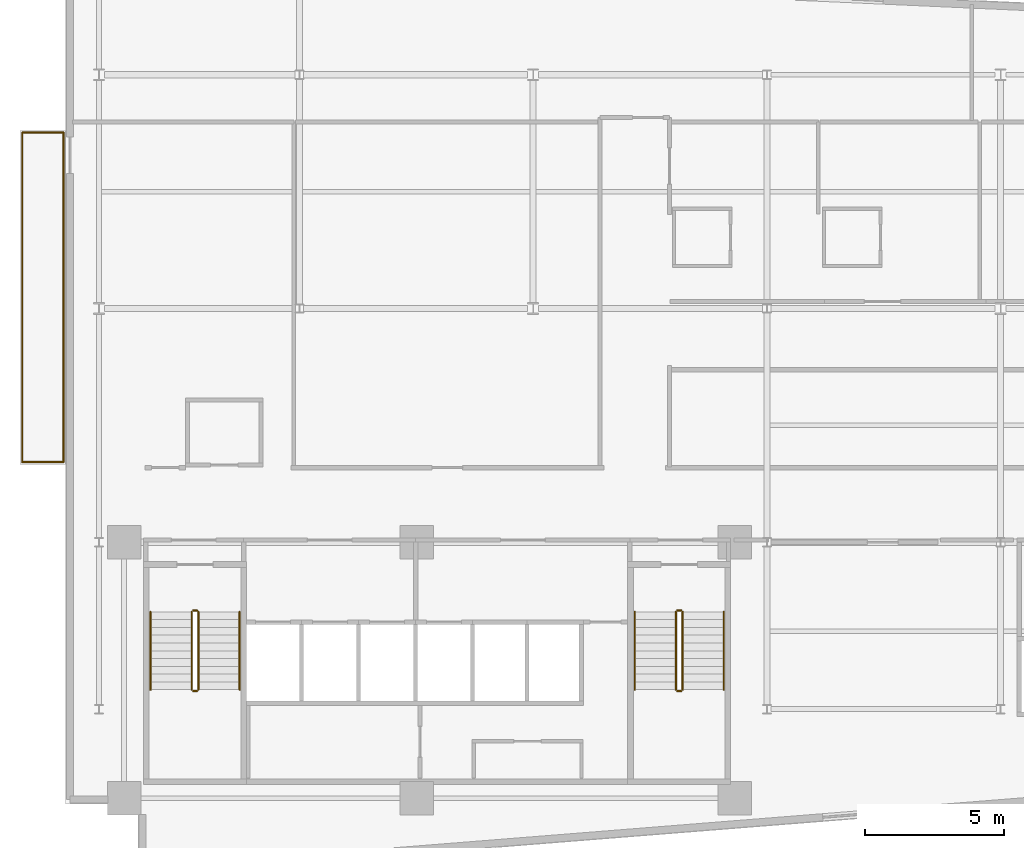
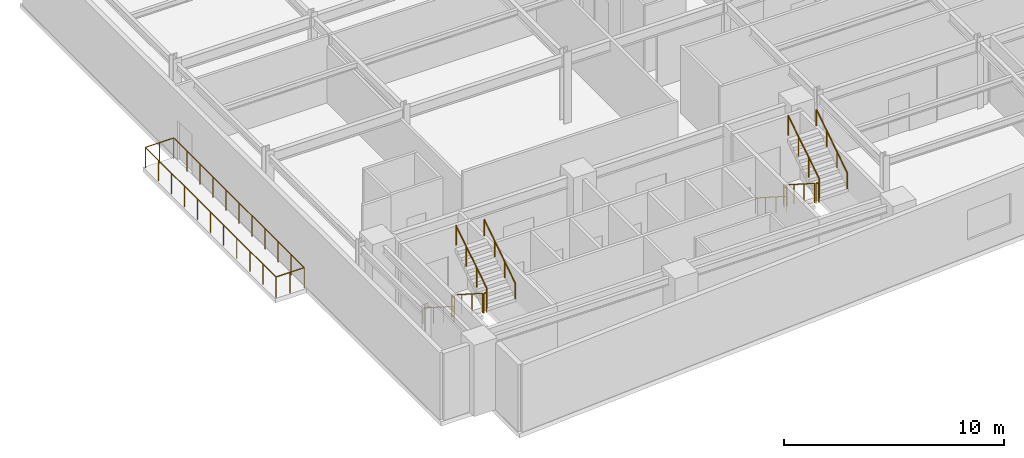
# One storey, part 14 of 17: 16 railings.
"""IFC4 building model written with IfcOpenShell, lengths in metres."""

from ifc_helpers import new_model, si_unit, direction, frame, origin, origin_2d, place, context, subcontext, project, spatial, circle, extrude, material, type_object, element, save


model = new_model("IFC4")

# Units and contexts
model_context = context("Model", 3, precision=1e-05, world=origin(), true_north=direction((0.0, 1.0)))
body_context = subcontext(model_context, "Body", "Model", "MODEL_VIEW")
ifc_project = project(units=[si_unit("LENGTHUNIT", "METRE"), si_unit("AREAUNIT", "SQUARE_METRE"), si_unit("VOLUMEUNIT", "CUBIC_METRE"), si_unit("PLANEANGLEUNIT", "RADIAN"), si_unit("MASSUNIT", "GRAM", prefix="KILO")], contexts=[model_context])

# Site, building, storey
site_placement = place(None, origin())
site = spatial("IfcSite", under=ifc_project, at=site_placement, CompositionType="ELEMENT")
building_placement = place(site_placement, origin())
building = spatial("IfcBuilding", under=site, at=building_placement, Name="Varnakote Quay Hospital", CompositionType="ELEMENT")
storey_placement = place(building_placement, frame((0.0, 0.0, 146.800048828125)))
storey = spatial("IfcBuildingStorey", under=building, at=storey_placement, Name="L36", CompositionType="ELEMENT", Elevation=146.800048828125)

# Railings
ifc_material_1 = material(Name="Anodised aluminium 6063-T6 Bronze", Category="aluminium")
railing_type_1 = type_object("IfcRailingType", Name="RLG-EXT-GUARD-1150", PredefinedType="GUARDRAIL", material=ifc_material_1)
railing_1_placement = place(storey_placement, frame((-0.075927734375, 14.8798828125, 0.0)))
element("IfcRailing", 1, at=railing_1_placement, inside=storey, type_object=railing_type_1, Name="L36 Zigzag Prow Healing Terrace Safety Guard", PredefinedType="GUARDRAIL", context=body_context, shape_type="SweptSolid", body=[
    extrude(circle(Radius=0.02392578125, at=origin_2d()), frame((0.0, 0.0, 1.1259765625), z_axis=(-1.0, 0.0, 0.0), x_axis=(0.0, -1.0, 0.0)), (0.0, 0.0, 1.0), 1.484130859375),
    extrude(circle(Radius=0.02099609375, at=origin_2d()), origin(), (0.0, 0.0, 1.0), 1.101806640625),
    extrude(circle(Radius=0.02099609375, at=origin_2d()), frame((-0.7421875, 0.0, 0.0)), (0.0, 0.0, 1.0), 1.101806640625),
    extrude(circle(Radius=0.02099609375, at=origin_2d()), frame((-1.484130859375, 0.0, 0.0)), (0.0, 0.0, 1.0), 1.101806640625),
])
railing_2_placement = place(storey_placement, frame((-1.56005859375, 14.8798828125, 0.0)))
element("IfcRailing", 2, at=railing_2_placement, inside=storey, type_object=railing_type_1, Name="L36 Zigzag Prow Healing Terrace Safety Guard", PredefinedType="GUARDRAIL", context=body_context, shape_type="SweptSolid", body=[
    extrude(circle(Radius=0.02392578125, at=origin_2d()), frame((0.0, 0.0, 1.1259765625), z_axis=(0.0, 1.0, 0.0), x_axis=(-1.0, 0.0, 0.0)), (0.0, 0.0, 1.0), 11.840087890625),
    extrude(circle(Radius=0.02099609375, at=origin_2d()), origin(), (0.0, 0.0, 1.0), 1.101806640625),
    extrude(circle(Radius=0.02099609375, at=origin_2d()), frame((0.0, 1.18408203125, 0.0)), (0.0, 0.0, 1.0), 1.101806640625),
    extrude(circle(Radius=0.02099609375, at=origin_2d()), frame((0.0, 2.367919921875, 0.0)), (0.0, 0.0, 1.0), 1.101806640625),
    extrude(circle(Radius=0.02099609375, at=origin_2d()), frame((0.0, 3.552001953125, 0.0)), (0.0, 0.0, 1.0), 1.101806640625),
    extrude(circle(Radius=0.02099609375, at=origin_2d()), frame((0.0, 4.736083984375, 0.0)), (0.0, 0.0, 1.0), 1.101806640625),
    extrude(circle(Radius=0.02099609375, at=origin_2d()), frame((0.0, 5.919921875, 0.0)), (0.0, 0.0, 1.0), 1.101806640625),
    extrude(circle(Radius=0.02099609375, at=origin_2d()), frame((0.0, 7.10400390625, 0.0)), (0.0, 0.0, 1.0), 1.101806640625),
    extrude(circle(Radius=0.02099609375, at=origin_2d()), frame((0.0, 8.2880859375, 0.0)), (0.0, 0.0, 1.0), 1.101806640625),
    extrude(circle(Radius=0.02099609375, at=origin_2d()), frame((0.0, 9.47216796875, 0.0)), (0.0, 0.0, 1.0), 1.101806640625),
    extrude(circle(Radius=0.02099609375, at=origin_2d()), frame((0.0, 10.656005859375, 0.0)), (0.0, 0.0, 1.0), 1.101806640625),
    extrude(circle(Radius=0.02099609375, at=origin_2d()), frame((0.0, 11.840087890625, 0.0)), (0.0, 0.0, 1.0), 1.101806640625),
])
railing_3_placement = place(storey_placement, frame((-1.56005859375, 26.719970703125, 0.0)))
element("IfcRailing", 3, at=railing_3_placement, inside=storey, type_object=railing_type_1, Name="L36 Zigzag Prow Healing Terrace Safety Guard", PredefinedType="GUARDRAIL", context=body_context, shape_type="SweptSolid", body=[
    extrude(circle(Radius=0.02392578125, at=origin_2d()), frame((0.0, 0.0, 1.1259765625), z_axis=(1.0, 0.0, 0.0), x_axis=(0.0, 1.0, 0.0)), (0.0, 0.0, 1.0), 1.484130859375),
    extrude(circle(Radius=0.02099609375, at=origin_2d()), origin(), (0.0, 0.0, 1.0), 1.101806640625),
    extrude(circle(Radius=0.02099609375, at=origin_2d()), frame((0.7421875, 0.0, 0.0)), (0.0, 0.0, 1.0), 1.101806640625),
    extrude(circle(Radius=0.02099609375, at=origin_2d()), frame((1.484130859375, 0.0, 0.0)), (0.0, 0.0, 1.0), 1.101806640625),
])
railing_4_placement = place(storey_placement, frame((-0.075927734375, 26.719970703125, 0.0)))
element("IfcRailing", 4, at=railing_4_placement, inside=storey, type_object=railing_type_1, Name="L36 Zigzag Prow Healing Terrace Safety Guard", PredefinedType="GUARDRAIL", context=body_context, shape_type="SweptSolid", body=[
    extrude(circle(Radius=0.02392578125, at=origin_2d()), frame((0.0, 0.0, 1.1259765625), z_axis=(0.0, -1.0, 0.0), x_axis=(1.0, 0.0, 0.0)), (0.0, 0.0, 1.0), 11.840087890625),
    extrude(circle(Radius=0.02099609375, at=origin_2d()), origin(), (0.0, 0.0, 1.0), 1.101806640625),
    extrude(circle(Radius=0.02099609375, at=origin_2d()), frame((0.0, -1.18408203125, 0.0)), (0.0, 0.0, 1.0), 1.101806640625),
    extrude(circle(Radius=0.02099609375, at=origin_2d()), frame((0.0, -2.367919921875, 0.0)), (0.0, 0.0, 1.0), 1.101806640625),
    extrude(circle(Radius=0.02099609375, at=origin_2d()), frame((0.0, -3.552001953125, 0.0)), (0.0, 0.0, 1.0), 1.101806640625),
    extrude(circle(Radius=0.02099609375, at=origin_2d()), frame((0.0, -4.736083984375, 0.0)), (0.0, 0.0, 1.0), 1.101806640625),
    extrude(circle(Radius=0.02099609375, at=origin_2d()), frame((0.0, -5.919921875, 0.0)), (0.0, 0.0, 1.0), 1.101806640625),
    extrude(circle(Radius=0.02099609375, at=origin_2d()), frame((0.0, -7.10400390625, 0.0)), (0.0, 0.0, 1.0), 1.101806640625),
    extrude(circle(Radius=0.02099609375, at=origin_2d()), frame((0.0, -8.2880859375, 0.0)), (0.0, 0.0, 1.0), 1.101806640625),
    extrude(circle(Radius=0.02099609375, at=origin_2d()), frame((0.0, -9.47216796875, 0.0)), (0.0, 0.0, 1.0), 1.101806640625),
    extrude(circle(Radius=0.02099609375, at=origin_2d()), frame((0.0, -10.656005859375, 0.0)), (0.0, 0.0, 1.0), 1.101806640625),
    extrude(circle(Radius=0.02099609375, at=origin_2d()), frame((0.0, -11.840087890625, 0.0)), (0.0, 0.0, 1.0), 1.101806640625),
])
ifc_material_2 = material(Name="Brushed stainless steel balustrade", Category="steel")
railing_type_2 = type_object("IfcRailingType", Name="RLG-STAIR-GUARD-1150", PredefinedType="GUARDRAIL", material=ifc_material_2)
railing_5_placement = place(storey_placement, frame((4.530029296875, 9.5, 0.179443359375)))
element("IfcRailing", 5, at=railing_5_placement, inside=storey, type_object=railing_type_2, Name="L36 ST-01 stair guard 1", PredefinedType="GUARDRAIL", context=body_context, shape_type="SweptSolid", body=[
    extrude(circle(Radius=0.02392578125, at=origin_2d()), frame((0.0, 0.0, 1.076171875), z_axis=(0.0, -0.841809871826, 0.539774156196), x_axis=(1.0, 0.0, 0.0)), (0.0, 0.0, 1.0), 3.326171875),
    extrude(circle(Radius=0.02099609375, at=origin_2d()), origin(), (0.0, 0.0, 1.0), 1.052001953125),
    extrude(circle(Radius=0.02099609375, at=origin_2d()), frame((0.0, -0.933349609375, 0.598388671875)), (0.0, 0.0, 1.0), 1.052001953125),
    extrude(circle(Radius=0.02099609375, at=origin_2d()), frame((0.0, -1.86669921875, 1.197021484375)), (0.0, 0.0, 1.0), 1.052001953125),
    extrude(circle(Radius=0.02099609375, at=origin_2d()), frame((0.0, -2.800048828125, 1.79541015625)), (0.0, 0.0, 1.0), 1.052001953125),
])
railing_6_placement = place(storey_placement, frame((4.580078125, 6.64990234375, 1.974853515625)))
element("IfcRailing", 6, at=railing_6_placement, inside=storey, type_object=railing_type_2, Name="L36 ST-01 stair guard 2", PredefinedType="GUARDRAIL", context=body_context, shape_type="SweptSolid", body=[
    extrude(circle(Radius=0.02392578125, at=origin_2d()), frame((0.0, 0.0, 1.076171875), z_axis=(1.0, 0.0, 0.0), x_axis=(0.0, 1.0, 0.0)), (0.0, 0.0, 1.0), 0.139892578125),
    extrude(circle(Radius=0.02099609375, at=origin_2d()), origin(), (0.0, 0.0, 1.0), 1.052001953125),
    extrude(circle(Radius=0.02099609375, at=origin_2d()), frame((0.139892578125, 0.0, 0.0)), (0.0, 0.0, 1.0), 1.052001953125),
])
railing_7_placement = place(storey_placement, frame((4.77001953125, 6.699951171875, 2.154541015625)))
element("IfcRailing", 7, at=railing_7_placement, inside=storey, type_object=railing_type_2, Name="L36 ST-01 stair guard 3", PredefinedType="GUARDRAIL", context=body_context, shape_type="SweptSolid", body=[
    extrude(circle(Radius=0.02392578125, at=origin_2d()), frame((0.0, 0.0, 1.076171875), z_axis=(0.0, 0.841809871826, 0.539774156196), x_axis=(-1.0, 0.0, 0.0)), (0.0, 0.0, 1.0), 3.326171875),
    extrude(circle(Radius=0.02099609375, at=origin_2d()), origin(), (0.0, 0.0, 1.0), 1.052001953125),
    extrude(circle(Radius=0.02099609375, at=origin_2d()), frame((0.0, 0.933349609375, 0.598388671875)), (0.0, 0.0, 1.0), 1.052001953125),
    extrude(circle(Radius=0.02099609375, at=origin_2d()), frame((0.0, 1.86669921875, 1.197021484375)), (0.0, 0.0, 1.0), 1.052001953125),
    extrude(circle(Radius=0.02099609375, at=origin_2d()), frame((0.0, 2.800048828125, 1.79541015625)), (0.0, 0.0, 1.0), 1.052001953125),
])
railing_8_placement = place(storey_placement, frame((4.580078125, 9.550048828125, 0.0)))
element("IfcRailing", 8, at=railing_8_placement, inside=storey, type_object=railing_type_2, Name="L36 ST-01 stair guard 4", PredefinedType="GUARDRAIL", context=body_context, shape_type="SweptSolid", body=[
    extrude(circle(Radius=0.02392578125, at=origin_2d()), frame((0.0, 0.0, 1.076171875), z_axis=(1.0, 0.0, 0.0), x_axis=(0.0, 1.0, 0.0)), (0.0, 0.0, 1.0), 0.139892578125),
    extrude(circle(Radius=0.02099609375, at=origin_2d()), origin(), (0.0, 0.0, 1.0), 1.052001953125),
    extrude(circle(Radius=0.02099609375, at=origin_2d()), frame((0.139892578125, 0.0, 0.0)), (0.0, 0.0, 1.0), 1.052001953125),
])
railing_9_placement = place(storey_placement, frame((21.929931640625, 9.5, 0.179443359375)))
element("IfcRailing", 9, at=railing_9_placement, inside=storey, type_object=railing_type_2, Name="L36 ST-02 stair guard 1", PredefinedType="GUARDRAIL", context=body_context, shape_type="SweptSolid", body=[
    extrude(circle(Radius=0.02392578125, at=origin_2d()), frame((0.0, 0.0, 1.076171875), z_axis=(0.0, -0.841809871826, 0.539774156196), x_axis=(1.0, 0.0, 0.0)), (0.0, 0.0, 1.0), 3.326171875),
    extrude(circle(Radius=0.02099609375, at=origin_2d()), origin(), (0.0, 0.0, 1.0), 1.052001953125),
    extrude(circle(Radius=0.02099609375, at=origin_2d()), frame((0.0, -0.933349609375, 0.598388671875)), (0.0, 0.0, 1.0), 1.052001953125),
    extrude(circle(Radius=0.02099609375, at=origin_2d()), frame((0.0, -1.86669921875, 1.197021484375)), (0.0, 0.0, 1.0), 1.052001953125),
    extrude(circle(Radius=0.02099609375, at=origin_2d()), frame((0.0, -2.800048828125, 1.79541015625)), (0.0, 0.0, 1.0), 1.052001953125),
])
railing_10_placement = place(storey_placement, frame((21.97998046875, 6.64990234375, 1.974853515625)))
element("IfcRailing", 10, at=railing_10_placement, inside=storey, type_object=railing_type_2, Name="L36 ST-02 stair guard 2", PredefinedType="GUARDRAIL", context=body_context, shape_type="SweptSolid", body=[
    extrude(circle(Radius=0.02392578125, at=origin_2d()), frame((0.0, 0.0, 1.076171875), z_axis=(1.0, 0.0, 0.0), x_axis=(0.0, 1.0, 0.0)), (0.0, 0.0, 1.0), 0.14013671875),
    extrude(circle(Radius=0.02099609375, at=origin_2d()), origin(), (0.0, 0.0, 1.0), 1.052001953125),
    extrude(circle(Radius=0.02099609375, at=origin_2d()), frame((0.14013671875, 0.0, 0.0)), (0.0, 0.0, 1.0), 1.052001953125),
])
railing_11_placement = place(storey_placement, frame((22.169921875, 6.699951171875, 2.154541015625)))
element("IfcRailing", 11, at=railing_11_placement, inside=storey, type_object=railing_type_2, Name="L36 ST-02 stair guard 3", PredefinedType="GUARDRAIL", context=body_context, shape_type="SweptSolid", body=[
    extrude(circle(Radius=0.02392578125, at=origin_2d()), frame((0.0, 0.0, 1.076171875), z_axis=(0.0, 0.841809871826, 0.539774156196), x_axis=(-1.0, 0.0, 0.0)), (0.0, 0.0, 1.0), 3.326171875),
    extrude(circle(Radius=0.02099609375, at=origin_2d()), origin(), (0.0, 0.0, 1.0), 1.052001953125),
    extrude(circle(Radius=0.02099609375, at=origin_2d()), frame((0.0, 0.933349609375, 0.598388671875)), (0.0, 0.0, 1.0), 1.052001953125),
    extrude(circle(Radius=0.02099609375, at=origin_2d()), frame((0.0, 1.86669921875, 1.197021484375)), (0.0, 0.0, 1.0), 1.052001953125),
    extrude(circle(Radius=0.02099609375, at=origin_2d()), frame((0.0, 2.800048828125, 1.79541015625)), (0.0, 0.0, 1.0), 1.052001953125),
])
railing_12_placement = place(storey_placement, frame((21.97998046875, 9.550048828125, 0.0)))
element("IfcRailing", 12, at=railing_12_placement, inside=storey, type_object=railing_type_2, Name="L36 ST-02 stair guard 4", PredefinedType="GUARDRAIL", context=body_context, shape_type="SweptSolid", body=[
    extrude(circle(Radius=0.02392578125, at=origin_2d()), frame((0.0, 0.0, 1.076171875), z_axis=(1.0, 0.0, 0.0), x_axis=(0.0, 1.0, 0.0)), (0.0, 0.0, 1.0), 0.14013671875),
    extrude(circle(Radius=0.02099609375, at=origin_2d()), origin(), (0.0, 0.0, 1.0), 1.052001953125),
    extrude(circle(Radius=0.02099609375, at=origin_2d()), frame((0.14013671875, 0.0, 0.0)), (0.0, 0.0, 1.0), 1.052001953125),
])
ifc_material_3 = material(Name="Brushed stainless steel handrail", Category="steel")
railing_type_3 = type_object("IfcRailingType", Name="RLG-STAIR-HND-920", PredefinedType="HANDRAIL", material=ifc_material_3)
railing_13_placement = place(storey_placement, frame((3.050048828125, 9.5, 0.179443359375)))
element("IfcRailing", 13, at=railing_13_placement, inside=storey, type_object=railing_type_3, Name="L36 ST-01 stair handrail 1", PredefinedType="HANDRAIL", context=body_context, shape_type="SweptSolid", body=[
    extrude(circle(Radius=0.02392578125, at=origin_2d()), frame((0.0, 0.0, 0.8759765625), z_axis=(0.0, -0.841809871826, 0.539774156196), x_axis=(1.0, 0.0, 0.0)), (0.0, 0.0, 1.0), 3.326171875),
    extrude(circle(Radius=0.02099609375, at=origin_2d()), origin(), (0.0, 0.0, 1.0), 0.851806640625),
    extrude(circle(Radius=0.02099609375, at=origin_2d()), frame((0.0, -0.933349609375, 0.598388671875)), (0.0, 0.0, 1.0), 0.851806640625),
    extrude(circle(Radius=0.02099609375, at=origin_2d()), frame((0.0, -1.86669921875, 1.197021484375)), (0.0, 0.0, 1.0), 0.851806640625),
    extrude(circle(Radius=0.02099609375, at=origin_2d()), frame((0.0, -2.800048828125, 1.79541015625)), (0.0, 0.0, 1.0), 0.851806640625),
])
railing_14_placement = place(storey_placement, frame((6.25, 6.699951171875, 2.154541015625)))
element("IfcRailing", 14, at=railing_14_placement, inside=storey, type_object=railing_type_3, Name="L36 ST-01 stair handrail 2", PredefinedType="HANDRAIL", context=body_context, shape_type="SweptSolid", body=[
    extrude(circle(Radius=0.02392578125, at=origin_2d()), frame((0.0, 0.0, 0.8759765625), z_axis=(0.0, 0.841809871826, 0.539774156196), x_axis=(-1.0, 0.0, 0.0)), (0.0, 0.0, 1.0), 3.326171875),
    extrude(circle(Radius=0.02099609375, at=origin_2d()), origin(), (0.0, 0.0, 1.0), 0.851806640625),
    extrude(circle(Radius=0.02099609375, at=origin_2d()), frame((0.0, 0.933349609375, 0.598388671875)), (0.0, 0.0, 1.0), 0.851806640625),
    extrude(circle(Radius=0.02099609375, at=origin_2d()), frame((0.0, 1.86669921875, 1.197021484375)), (0.0, 0.0, 1.0), 0.851806640625),
    extrude(circle(Radius=0.02099609375, at=origin_2d()), frame((0.0, 2.800048828125, 1.79541015625)), (0.0, 0.0, 1.0), 0.851806640625),
])
railing_15_placement = place(storey_placement, frame((20.449951171875, 9.5, 0.179443359375)))
element("IfcRailing", 15, at=railing_15_placement, inside=storey, type_object=railing_type_3, Name="L36 ST-02 stair handrail 1", PredefinedType="HANDRAIL", context=body_context, shape_type="SweptSolid", body=[
    extrude(circle(Radius=0.02392578125, at=origin_2d()), frame((0.0, 0.0, 0.8759765625), z_axis=(0.0, -0.841809871826, 0.539774156196), x_axis=(1.0, 0.0, 0.0)), (0.0, 0.0, 1.0), 3.326171875),
    extrude(circle(Radius=0.02099609375, at=origin_2d()), origin(), (0.0, 0.0, 1.0), 0.851806640625),
    extrude(circle(Radius=0.02099609375, at=origin_2d()), frame((0.0, -0.933349609375, 0.598388671875)), (0.0, 0.0, 1.0), 0.851806640625),
    extrude(circle(Radius=0.02099609375, at=origin_2d()), frame((0.0, -1.86669921875, 1.197021484375)), (0.0, 0.0, 1.0), 0.851806640625),
    extrude(circle(Radius=0.02099609375, at=origin_2d()), frame((0.0, -2.800048828125, 1.79541015625)), (0.0, 0.0, 1.0), 0.851806640625),
])
railing_16_placement = place(storey_placement, frame((23.64990234375, 6.699951171875, 2.154541015625)))
element("IfcRailing", 16, at=railing_16_placement, inside=storey, type_object=railing_type_3, Name="L36 ST-02 stair handrail 2", PredefinedType="HANDRAIL", context=body_context, shape_type="SweptSolid", body=[
    extrude(circle(Radius=0.02392578125, at=origin_2d()), frame((0.0, 0.0, 0.8759765625), z_axis=(0.0, 0.841809871826, 0.539774156196), x_axis=(-1.0, 0.0, 0.0)), (0.0, 0.0, 1.0), 3.326171875),
    extrude(circle(Radius=0.02099609375, at=origin_2d()), origin(), (0.0, 0.0, 1.0), 0.851806640625),
    extrude(circle(Radius=0.02099609375, at=origin_2d()), frame((0.0, 0.933349609375, 0.598388671875)), (0.0, 0.0, 1.0), 0.851806640625),
    extrude(circle(Radius=0.02099609375, at=origin_2d()), frame((0.0, 1.86669921875, 1.197021484375)), (0.0, 0.0, 1.0), 0.851806640625),
    extrude(circle(Radius=0.02099609375, at=origin_2d()), frame((0.0, 2.800048828125, 1.79541015625)), (0.0, 0.0, 1.0), 0.851806640625),
])

save(model, "model.ifc")
